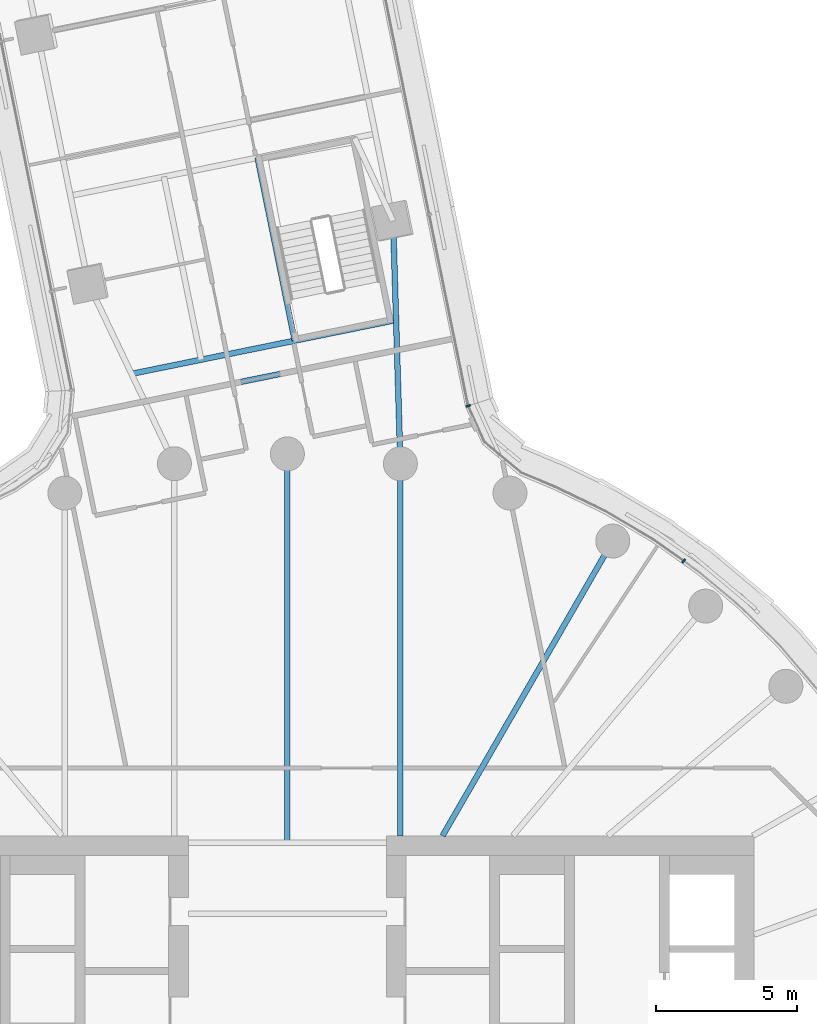
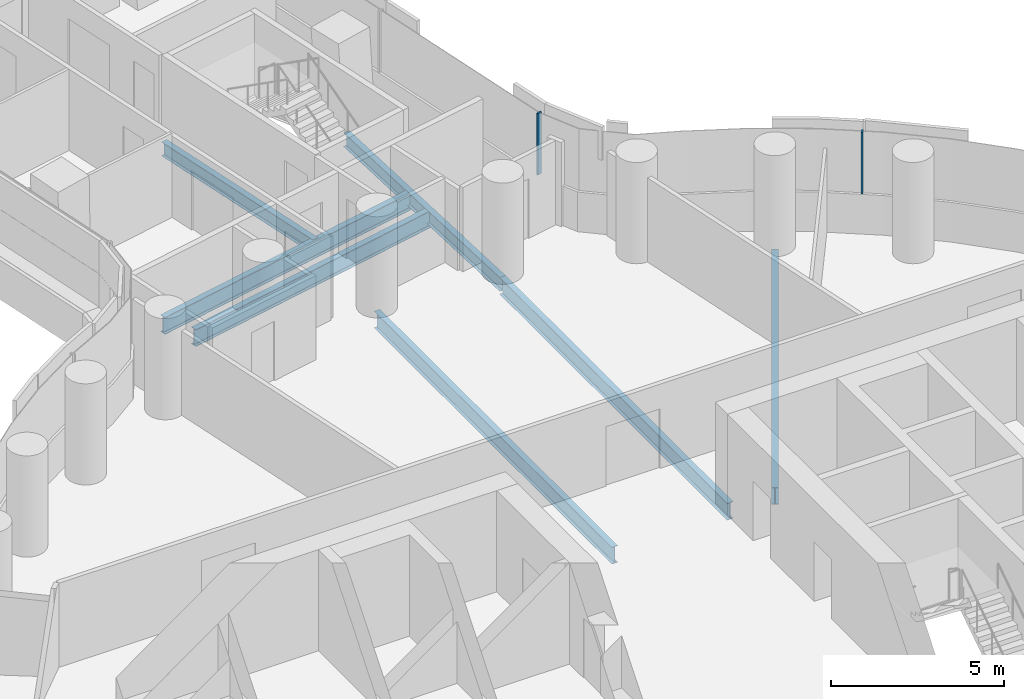
# One storey, part 14 of 31: 7 beams, 2 members, 2 elements without a shape of their own.
"""IFC4 building model written with IfcOpenShell, lengths in metres."""

from ifc_helpers import new_model, si_unit, direction, frame, origin, origin_2d, place, context, subcontext, project, spatial, rectangle, i_section, extrude, material, layer, layer_set, material_profile, profile_set, type_object, element, aggregate, save


model = new_model("IFC4")

# Units and contexts
model_context = context("Model", 3, precision=1e-05, world=origin(), true_north=direction((0.0, 1.0)))
body_context = subcontext(model_context, "Body", "Model", "MODEL_VIEW")
ifc_project = project(units=[si_unit("LENGTHUNIT", "METRE"), si_unit("AREAUNIT", "SQUARE_METRE"), si_unit("VOLUMEUNIT", "CUBIC_METRE"), si_unit("PLANEANGLEUNIT", "RADIAN"), si_unit("MASSUNIT", "GRAM", prefix="KILO")], contexts=[model_context])

# Site, building, storey
site_placement = place(None, origin())
site = spatial("IfcSite", under=ifc_project, at=site_placement, CompositionType="ELEMENT")
building_placement = place(site_placement, origin())
building = spatial("IfcBuilding", under=site, at=building_placement, Name="Tamarind Cross Interchange Tower", CompositionType="ELEMENT")
storey_placement = place(building_placement, frame((0.0, 0.0, 75.25)))
storey = spatial("IfcBuildingStorey", under=building, at=storey_placement, Name="L17", CompositionType="ELEMENT", Elevation=75.25)

# Beams
ifc_material_1 = material(Name="Steel Q355B", Category="steel")
ifc_material_profile_1 = material_profile(ifc_material_1, i_section(OverallWidth=0.198974609375, OverallDepth=0.49609375, WebThickness=0.009033203125, FlangeThickness=0.013916015625, FilletRadius=0.012939453125, at=origin_2d()), Name="HN 496x199x9x14")
ifc_profile_set_1 = profile_set([ifc_material_profile_1], Name="Steel Q355B")
beam_type_1 = type_object("IfcBeamType", Name="Composite beam HN 496x199x9x14 Q355B", PredefinedType="BEAM", material=ifc_profile_set_1)
beam_1_placement = place(storey_placement, frame((3.736083984375, 31.2294921875, -0.387939453125), z_axis=(0.030038517643, -0.999548741912, 0.0), x_axis=(0.999548741912, 0.030038517643, 0.0)))
element("IfcBeam", 1, at=beam_1_placement, inside=storey, type_object=beam_type_1, Name="Beam N-linkem", PredefinedType="BEAM", context=body_context, shape_type="SweptSolid", body=[
    extrude(i_section(OverallWidth=0.198974609375, OverallDepth=0.49609375, WebThickness=0.009033203125, FlangeThickness=0.013916015625, FilletRadius=0.012939453125, at=origin_2d()), origin(), (0.0, 0.0, 1.0), 8.582763671875),
])
beam_2_placement = place(storey_placement, frame((0.258544921875, 27.001708984375, -0.387939453125), z_axis=(-0.199230884197, 0.979952577823, 0.0), x_axis=(-0.979952577823, -0.199230884197, 0.0)))
element("IfcBeam", 2, at=beam_2_placement, inside=storey, type_object=beam_type_1, Name="Beam N-tr1", PredefinedType="BEAM", context=body_context, shape_type="SweptSolid", body=[
    extrude(i_section(OverallWidth=0.198974609375, OverallDepth=0.49609375, WebThickness=0.009033203125, FlangeThickness=0.013916015625, FilletRadius=0.012939453125, at=origin_2d()), origin(), (0.0, 0.0, 1.0), 6.60009765625),
])
ifc_material_profile_2 = material_profile(ifc_material_1, i_section(OverallWidth=0.198974609375, OverallDepth=0.595947265625, WebThickness=0.010009765625, FlangeThickness=0.014892578125, FilletRadius=0.012939453125, at=origin_2d()), Name="HN 596x199x10x15")
ifc_profile_set_2 = profile_set([ifc_material_profile_2], Name="Steel Q355B")
beam_type_2 = type_object("IfcBeamType", Name="Composite beam HN 596x199x10x15 Q355B", PredefinedType="BEAM", material=ifc_profile_set_2)
beam_3_placement = place(storey_placement, frame((11.5, 19.918701171875, -0.43798828125), z_axis=(-0.499993565836, -0.866029118519, 0.0), x_axis=(0.866029118519, -0.499993565836, 0.0)))
element("IfcBeam", 3, at=beam_3_placement, inside=storey, type_object=beam_type_2, Name="Beam HH06", PredefinedType="BEAM", context=body_context, shape_type="SweptSolid", body=[
    extrude(i_section(OverallWidth=0.198974609375, OverallDepth=0.595947265625, WebThickness=0.010009765625, FlangeThickness=0.014892578125, FilletRadius=0.012939453125, at=origin_2d()), origin(), (0.0, 0.0, 1.0), 12.030517578125),
])
beam_4_placement = place(storey_placement, frame((3.993896484375, 22.650634765625, -0.43798828125), z_axis=(0.0, -1.0, 0.0), x_axis=(1.0, 0.0, 0.0)))
element("IfcBeam", 4, at=beam_4_placement, inside=storey, type_object=beam_type_2, Name="Beam HH08", PredefinedType="BEAM", context=body_context, shape_type="SweptSolid", body=[
    extrude(i_section(OverallWidth=0.198974609375, OverallDepth=0.595947265625, WebThickness=0.010009765625, FlangeThickness=0.014892578125, FilletRadius=0.012939453125, at=origin_2d()), origin(), (0.0, 0.0, 1.0), 13.150634765625),
])
beam_5_placement = place(storey_placement, frame((0.0, 23.0, -0.43798828125), z_axis=(0.0, -1.0, 0.0), x_axis=(1.0, 0.0, 0.0)))
element("IfcBeam", 5, at=beam_5_placement, inside=storey, type_object=beam_type_2, Name="Beam HH09", PredefinedType="BEAM", context=body_context, shape_type="SweptSolid", body=[
    extrude(i_section(OverallWidth=0.198974609375, OverallDepth=0.595947265625, WebThickness=0.010009765625, FlangeThickness=0.014892578125, FilletRadius=0.012939453125, at=origin_2d()), origin(), (0.0, 0.0, 1.0), 13.75),
])
ifc_material_profile_3 = material_profile(ifc_material_1, i_section(OverallWidth=0.199951171875, OverallDepth=0.60009765625, WebThickness=0.010986328125, FlangeThickness=0.01708984375, FilletRadius=0.012939453125, at=origin_2d()), Name="HN 600x200x11x17")
ifc_profile_set_3 = profile_set([ifc_material_profile_3], Name="Steel Q355B")
beam_type_3 = type_object("IfcBeamType", Name="Composite beam HN 600x200x11x17 Q355B", PredefinedType="BEAM", material=ifc_profile_set_3)
beam_6_placement = place(storey_placement, frame((3.84130859375, 27.730224609375, -0.43994140625), z_axis=(-0.979948939194, -0.199248780604, 0.0), x_axis=(0.199248780604, -0.979948939194, 0.0)))
element("IfcBeam", 6, at=beam_6_placement, inside=storey, type_object=beam_type_3, Name="Beam N-x268", PredefinedType="BEAM", context=body_context, shape_type="SweptSolid", body=[
    extrude(i_section(OverallWidth=0.199951171875, OverallDepth=0.60009765625, WebThickness=0.010986328125, FlangeThickness=0.01708984375, FilletRadius=0.012939453125, at=origin_2d()), origin(), (0.0, 0.0, 1.0), 9.5439453125),
])
beam_7_placement = place(storey_placement, frame((3.873291015625, 26.665283203125, -0.43994140625), z_axis=(-0.97995042478, -0.19924147403, 0.0), x_axis=(0.19924147403, -0.97995042478, 0.0)))
element("IfcBeam", 7, at=beam_7_placement, inside=storey, type_object=beam_type_3, Name="Beam N-x258", PredefinedType="BEAM", context=body_context, shape_type="SweptSolid", body=[
    extrude(i_section(OverallWidth=0.199951171875, OverallDepth=0.60009765625, WebThickness=0.010986328125, FlangeThickness=0.01708984375, FilletRadius=0.012939453125, at=origin_2d()), origin(), (0.0, 0.0, 1.0), 9.1005859375),
])

# Curtain wall, member
ifc_material_2 = material(Name="Aluminium 6063-T6", Category="aluminium")
ifc_layer = layer(ifc_material_2, 0.159912109375)
ifc_layer_set = layer_set([ifc_layer], Name="Aluminium 6063-T6")
curtain_wall_type = type_object("IfcCurtainWallType", Name="Office curtain wall, 9.0 m bays", PredefinedType="NOTDEFINED", material=ifc_layer_set)
curtain_wall_1_placement = place(storey_placement, origin())
curtain_wall_1 = element("IfcCurtainWall", 8, at=curtain_wall_1_placement, inside=storey, type_object=curtain_wall_type, Name="CWS-L17-10", PredefinedType="NOTDEFINED")
ifc_material_profile_4 = material_profile(ifc_material_2, rectangle(XDim=0.06005859375, YDim=0.159912109375, at=origin_2d()), Name="Mullion CW1")
ifc_profile_set_4 = profile_set([ifc_material_profile_4], Name="Aluminium 6063-T6")
member_type = type_object("IfcMemberType", Name="Mullion CW1", PredefinedType="MULLION", material=ifc_profile_set_4)
member_1_placement = place(storey_placement, frame((14.007080078125, 19.21435546875, 1.39990234375), z_axis=(0.0, 0.0, 1.0), x_axis=(-0.816341886298, 0.577568978284, 0.0)))
member_1 = element("IfcMember", 9, at=member_1_placement, type_object=member_type, Name="CWM-L17-10-02", PredefinedType="MULLION", context=body_context, shape_type="SweptSolid", body=[
    extrude(rectangle(XDim=0.06005859375, YDim=0.159912109375, at=origin_2d()), origin(), (0.0, 0.0, 1.0), 2.170166015625),
])
aggregate(curtain_wall_1, [member_1])

curtain_wall_2_placement = place(storey_placement, origin())
curtain_wall_2 = element("IfcCurtainWall", 10, at=curtain_wall_2_placement, inside=storey, type_object=curtain_wall_type, Name="CWS-L17-11", PredefinedType="NOTDEFINED")
member_2_placement = place(storey_placement, frame((6.390625, 24.697998046875, 1.39990234375), z_axis=(0.0, 0.0, 1.0), x_axis=(-0.308818790318, 0.951120893865, 0.0)))
member_2 = element("IfcMember", 11, at=member_2_placement, type_object=member_type, Name="CWM-L17-11-00", PredefinedType="MULLION", context=body_context, shape_type="SweptSolid", body=[
    extrude(rectangle(XDim=0.06005859375, YDim=0.159912109375, at=origin_2d()), origin(), (0.0, 0.0, 1.0), 2.170166015625),
])
aggregate(curtain_wall_2, [member_2])

save(model, "model.ifc")
